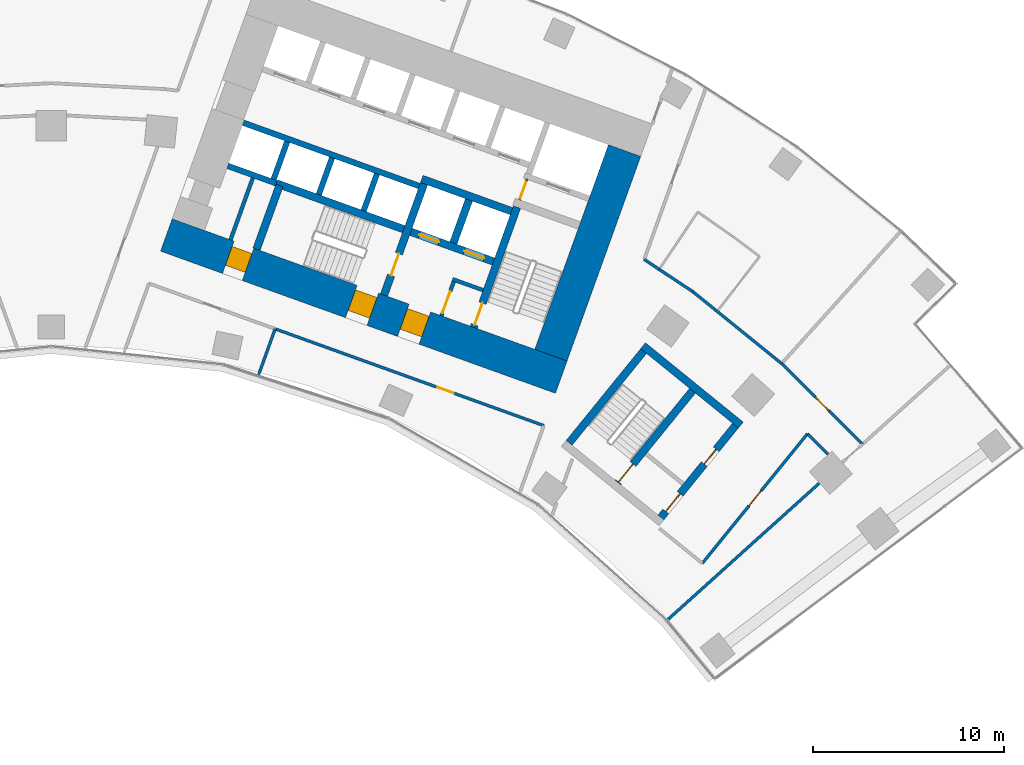
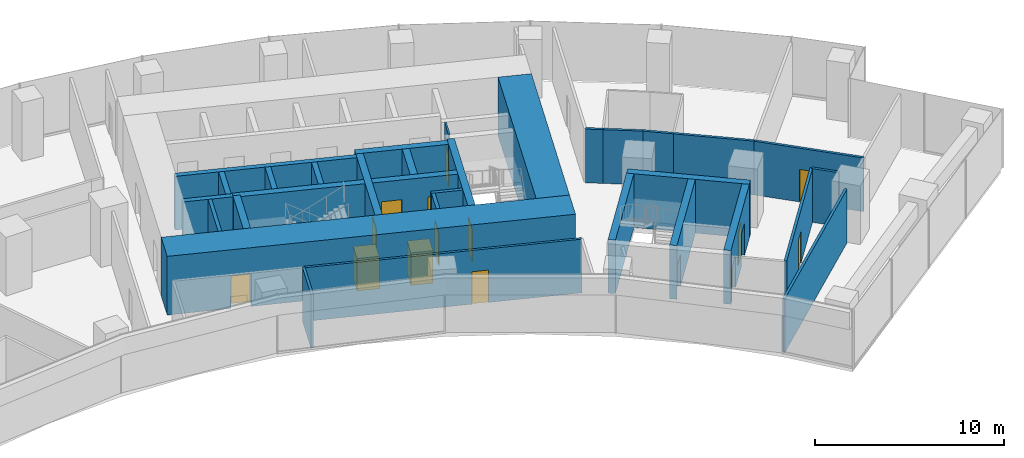
# One storey, part 17 of 21: 31 walls, 15 doors, 15 openings.
"""IFC4 building model written with IfcOpenShell, lengths in metres."""

from ifc_helpers import new_model, si_unit, direction, frame, frame_2d, origin, place, context, subcontext, project, spatial, rectangle, extrude, material, layer, layer_set, type_object, element, fill, save


model = new_model("IFC4")

# Units and contexts
model_context = context("Model", 3, precision=1e-05, world=origin(), true_north=direction((0.0, 1.0)))
body_context = subcontext(model_context, "Body", "Model", "MODEL_VIEW")
ifc_project = project(units=[si_unit("LENGTHUNIT", "METRE"), si_unit("AREAUNIT", "SQUARE_METRE"), si_unit("VOLUMEUNIT", "CUBIC_METRE"), si_unit("PLANEANGLEUNIT", "RADIAN"), si_unit("MASSUNIT", "GRAM", prefix="KILO")], contexts=[model_context])

# Site, building, storey
site_placement = place(None, origin())
site = spatial("IfcSite", under=ifc_project, at=site_placement, CompositionType="ELEMENT")
building_placement = place(site_placement, origin())
building = spatial("IfcBuilding", under=site, at=building_placement, Name="Stone Belt Terrace Tower", CompositionType="ELEMENT")
storey_placement = place(building_placement, frame((0.0, 0.0, 71.800048828125)))
storey = spatial("IfcBuildingStorey", under=building, at=storey_placement, Name="L17", CompositionType="ELEMENT", Elevation=71.800048828125)

# Wall, opening, door
ifc_material_1 = material(Name="Plasterboard partition")
ifc_layer_1 = layer(ifc_material_1, 0.10009765625)
ifc_layer_set_1 = layer_set([ifc_layer_1], Name="Core partition 100")
wall_type_1 = type_object("IfcWallType", Name="Core partition 100", PredefinedType="PARTITIONING", material=ifc_layer_set_1)
wall_1_placement = place(storey_placement, frame((24.555908203125, 51.10400390625, 0.0), z_axis=(0.0, 0.0, 1.0), x_axis=(0.338621735342, 0.94092258999, 0.0)))
wall_1 = element("IfcWall", 1, at=wall_1_placement, inside=storey, type_object=wall_type_1, Name="Core B wall", PredefinedType="PARTITIONING", context=body_context, shape_type="SweptSolid", body=[
    extrude(rectangle(XDim=1.14990234375, YDim=0.10009765625, at=frame_2d((0.574951171875, 0.0))), origin(), (0.0, 0.0, 1.0), 3.47998046875),
])
opening_1_placement = place(wall_1_placement, frame((0.050048828125, 0.0, 0.0)))
opening_1 = element("IfcOpeningElement", 2, at=opening_1_placement, cuts=wall_1, Name="Opening L17-C10", PredefinedType="OPENING", context=body_context, shape_type="SweptSolid", body=[
    extrude(rectangle(XDim=1.0, YDim=2.10009765625, at=frame_2d((0.5, 1.050048828125))), frame((0.0, 0.06005859375, 0.0), z_axis=(0.0, -1.0, 0.0), x_axis=(1.0, 0.0, 0.0)), (0.0, 0.0, 1.0), 0.1201171875),
])
ifc_material_2 = material(Name="Timber door leaf", Category="wood")
door_type_1 = type_object("IfcDoorType", Name="Core room door 1000", OperationType="SINGLE_SWING_LEFT", PredefinedType="DOOR", material=ifc_material_2)
door_1_placement = place(opening_1_placement, origin())
door_1 = element("IfcDoor", 3, at=door_1_placement, inside=storey, type_object=door_type_1, Name="Service lift lobby door core B", OperationType="SINGLE_SWING_RIGHT", OverallHeight=2.10009765625, OverallWidth=1.0, PredefinedType="DOOR", context=body_context, shape_type="SweptSolid", body=[
    extrude(rectangle(XDim=1.0, YDim=2.10009765625, at=frame_2d((0.5, 1.050048828125))), frame((0.0, 0.02490234375, 0.0), z_axis=(0.0, -1.0, 0.0), x_axis=(1.0, 0.0, 0.0)), (0.0, 0.0, 1.0), 0.050048828125),
])
fill(opening_1, door_1)

# Wall, openings, doors
ifc_material_3 = material(Name="Concrete B80", Category="concrete")
ifc_layer_2 = layer(ifc_material_3, 1.800048828125)
ifc_layer_set_2 = layer_set([ifc_layer_2], Name="Core wall 1800 B80")
wall_type_2 = type_object("IfcWallType", Name="Core wall 1800 B80", PredefinedType="SHEAR", material=ifc_layer_set_2)
wall_2_placement = place(storey_placement, frame((6.039306640625, 49.265380859375, 0.0), z_axis=(0.0, 0.0, 1.0), x_axis=(0.940921642213, -0.338624368902, 0.0)))
wall_2 = element("IfcWall", 4, at=wall_2_placement, inside=storey, type_object=wall_type_2, Name="Core B wall concave L17", PredefinedType="SHEAR", context=body_context, shape_type="SweptSolid", body=[
    extrude(rectangle(XDim=22.0, YDim=1.800048828125, at=frame_2d((11.0, 0.0))), origin(), (0.0, 0.0, 1.0), 3.800048828125),
])
opening_2_placement = place(wall_2_placement, frame((13.199951171875, 0.0, 0.0)))
opening_2 = element("IfcOpeningElement", 5, at=opening_2_placement, cuts=wall_2, Name="Opening L17-C14", PredefinedType="OPENING", context=body_context, shape_type="SweptSolid", body=[
    extrude(rectangle(XDim=1.199951171875, YDim=2.10009765625, at=frame_2d((0.60009765625, 1.050048828125))), frame((0.0, 0.909912109375, 0.0), z_axis=(0.0, -1.0, 0.0), x_axis=(1.0, 0.0, 0.0)), (0.0, 0.0, 1.0), 1.820068359375),
])
opening_3_placement = place(wall_2_placement, frame((10.300048828125, 0.0, 0.0)))
opening_3 = element("IfcOpeningElement", 6, at=opening_3_placement, cuts=wall_2, Name="Opening L17-C16", PredefinedType="OPENING", context=body_context, shape_type="SweptSolid", body=[
    extrude(rectangle(XDim=1.199951171875, YDim=2.10009765625, at=frame_2d((0.60009765625, 1.050048828125))), frame((0.0, 0.909912109375, 0.0), z_axis=(0.0, -1.0, 0.0), x_axis=(1.0, 0.0, 0.0)), (0.0, 0.0, 1.0), 1.820068359375),
])
opening_4_placement = place(wall_2_placement, frame((3.449951171875, 0.0, 0.0)))
opening_4 = element("IfcOpeningElement", 7, at=opening_4_placement, cuts=wall_2, Name="Opening L17-C18", PredefinedType="OPENING", context=body_context, shape_type="SweptSolid", body=[
    extrude(rectangle(XDim=1.10009765625, YDim=2.10009765625, at=frame_2d((0.550048828125, 1.050048828125))), frame((0.0, 0.909912109375, 0.0), z_axis=(0.0, -1.0, 0.0), x_axis=(1.0, 0.0, 0.0)), (0.0, 0.0, 1.0), 1.820068359375),
])
door_type_2 = type_object("IfcDoorType", Name="Core room door 1100", OperationType="SINGLE_SWING_LEFT", PredefinedType="DOOR", material=ifc_material_2)
door_2_placement = place(opening_4_placement, origin())
door_2 = element("IfcDoor", 8, at=door_2_placement, inside=storey, type_object=door_type_2, Name="Door to Communications riser room core B", OperationType="SINGLE_SWING_RIGHT", OverallHeight=2.10009765625, OverallWidth=1.10009765625, PredefinedType="DOOR", context=body_context, shape_type="SweptSolid", body=[
    extrude(rectangle(XDim=1.10009765625, YDim=2.10009765625, at=frame_2d((0.550048828125, 1.050048828125))), frame((0.0, 0.60498046875, 0.0), z_axis=(0.0, -1.0, 0.0), x_axis=(1.0, 0.0, 0.0)), (0.0, 0.0, 1.0), 1.050048828125),
])
fill(opening_4, door_2)
ifc_material_4 = material(Name="Steel door leaf", Category="steel")
door_type_3 = type_object("IfcDoorType", Name="Fire-fighting lobby door 1200", OperationType="SINGLE_SWING_LEFT", PredefinedType="DOOR", material=ifc_material_4)
door_3_placement = place(opening_2_placement, origin())
door_3 = element("IfcDoor", 9, at=door_3_placement, inside=storey, type_object=door_type_3, Name="Fire-fighting lobby door core B", OperationType="SINGLE_SWING_RIGHT", OverallHeight=2.10009765625, OverallWidth=1.199951171875, PredefinedType="DOOR", context=body_context, shape_type="SweptSolid", body=[
    extrude(rectangle(XDim=1.199951171875, YDim=2.10009765625, at=frame_2d((0.60009765625, 1.050048828125))), frame((0.0, 0.655029296875, 0.0), z_axis=(0.0, -1.0, 0.0), x_axis=(1.0, 0.0, 0.0)), (0.0, 0.0, 1.0), 1.14990234375),
])
fill(opening_2, door_3)
door_type_4 = type_object("IfcDoorType", Name="Stair door 1200", OperationType="SINGLE_SWING_LEFT", PredefinedType="DOOR", material=ifc_material_4)
door_4_placement = place(opening_3_placement, origin())
door_4 = element("IfcDoor", 10, at=door_4_placement, inside=storey, type_object=door_type_4, Name="Stair 2 exit door core B", OperationType="SINGLE_SWING_LEFT", OverallHeight=2.10009765625, OverallWidth=1.199951171875, PredefinedType="DOOR", context=body_context, shape_type="SweptSolid", body=[
    extrude(rectangle(XDim=1.199951171875, YDim=2.10009765625, at=frame_2d((0.60009765625, 1.050048828125))), frame((0.0, 0.655029296875, 0.0), z_axis=(0.0, -1.0, 0.0), x_axis=(1.0, 0.0, 0.0)), (0.0, 0.0, 1.0), 1.14990234375),
])
fill(opening_3, door_4)

# Walls
wall_3_placement = place(storey_placement, frame((26.197509765625, 42.96728515625, 0.0), z_axis=(0.0, 0.0, 1.0), x_axis=(0.338625431531, 0.940921259788, 0.0)))
element("IfcWall", 11, at=wall_3_placement, inside=storey, type_object=wall_type_2, Name="Core B wall end_b L17", PredefinedType="SHEAR", context=body_context, shape_type="SweptSolid", body=[
    extrude(rectangle(XDim=11.400146484375, YDim=1.800048828125, at=frame_2d((5.7001953125, 0.0))), origin(), (0.0, 0.0, 1.0), 3.800048828125),
])
ifc_layer_3 = layer(ifc_material_3, 0.39990234375)
ifc_layer_set_3 = layer_set([ifc_layer_3], Name="Fire-fighting lift shaft wall 400")
wall_type_3 = type_object("IfcWallType", Name="Fire-fighting lift shaft wall 400", PredefinedType="SHEAR", material=ifc_layer_set_3)
wall_4_placement = place(storey_placement, frame((24.130615234375, 50.512939453125, 0.0), z_axis=(0.0, 0.0, 1.0), x_axis=(-0.94091168377, 0.338652038744, 0.0)))
element("IfcWall", 12, at=wall_4_placement, inside=storey, type_object=wall_type_3, Name="Core B wall", PredefinedType="SHEAR", context=body_context, shape_type="SweptSolid", body=[
    extrude(rectangle(XDim=5.000244140625, YDim=0.39990234375, at=frame_2d((2.5, 0.0))), origin(), (0.0, 0.0, 1.0), 3.47998046875),
])
wall_5_placement = place(storey_placement, frame((21.0859375, 48.845458984375, 0.0), z_axis=(0.0, 0.0, 1.0), x_axis=(0.338629416206, 0.940919825745, 0.0)))
element("IfcWall", 13, at=wall_5_placement, inside=storey, type_object=wall_type_3, Name="Core B wall", PredefinedType="SHEAR", context=body_context, shape_type="SweptSolid", body=[
    extrude(rectangle(XDim=2.400146484375, YDim=0.39990234375, at=frame_2d((1.2001953125, 0.0))), origin(), (0.0, 0.0, 1.0), 3.47998046875),
])
ifc_layer_4 = layer(ifc_material_3, 0.300048828125)
ifc_layer_set_4 = layer_set([ifc_layer_4], Name="Lift shaft wall 300")
wall_type_4 = type_object("IfcWallType", Name="Lift shaft wall 300", PredefinedType="SHEAR", material=ifc_layer_set_4)
wall_6_placement = place(storey_placement, frame((19.29052734375, 51.829833984375, 0.0), z_axis=(0.0, 0.0, 1.0), x_axis=(-0.940925833398, 0.338612722803, 0.0)))
element("IfcWall", 14, at=wall_6_placement, inside=storey, type_object=wall_type_4, Name="Core B wall", PredefinedType="SHEAR", context=body_context, shape_type="SweptSolid", body=[
    extrude(rectangle(XDim=9.7998046875, YDim=0.300048828125, at=frame_2d((4.89990234375, 0.0))), origin(), (0.0, 0.0, 1.0), 3.47998046875),
])
for number, where, z_axis, x_axis, name in (
    (15, (16.38134765625, 50.53857421875, 0.0), (0.0, 0.0, 1.0), (0.338681515556, 0.940901073982, 0.0), "Core B wall"),
    (16, (14.029052734375, 51.38525390625, 0.0), (0.0, 0.0, 1.0), (0.338681515556, 0.940901073982, 0.0), "Core B wall"),
):
    element("IfcWall", number, at=place(storey_placement, frame(where, z_axis=z_axis, x_axis=x_axis)), inside=storey, type_object=wall_type_4, Name=name, PredefinedType="SHEAR", context=body_context, shape_type="SweptSolid", body=[
        extrude(rectangle(XDim=2.050048828125, YDim=0.300048828125, at=frame_2d((1.02490234375, 0.0))), origin(), (0.0, 0.0, 1.0), 3.47998046875),
    ])
wall_7_placement = place(storey_placement, frame((11.797119140625, 51.975830078125, 0.0), z_axis=(0.0, 0.0, 1.0), x_axis=(-0.940910465161, 0.33865542451, 0.0)))
element("IfcWall", 17, at=wall_7_placement, inside=storey, type_object=wall_type_4, Name="Core B wall", PredefinedType="SHEAR", context=body_context, shape_type="SweptSolid", body=[
    extrude(rectangle(XDim=2.69970703125, YDim=0.300048828125, at=frame_2d((1.349853515625, 0.0))), origin(), (0.0, 0.0, 1.0), 3.47998046875),
])
wall_8_placement = place(storey_placement, frame((11.659912109375, 52.184814453125, 0.0), z_axis=(0.0, 0.0, 1.0), x_axis=(0.338670064856, 0.940905195634, 0.0)))
element("IfcWall", 18, at=wall_8_placement, inside=storey, type_object=wall_type_4, Name="Core B wall", PredefinedType="SHEAR", context=body_context, shape_type="SweptSolid", body=[
    extrude(rectangle(XDim=2.099853515625, YDim=0.300048828125, at=frame_2d((1.0498046875, 0.0))), origin(), (0.0, 0.0, 1.0), 3.47998046875),
])

# Wall, opening, door
ifc_material_5 = material(Name="Gypsum board partition")
ifc_layer_5 = layer(ifc_material_5, 0.14990234375)
ifc_layer_set_5 = layer_set([ifc_layer_5], Name="PARTITION 150 EI 60")
wall_type_5 = type_object("IfcWallType", Name="PARTITION 150 EI 60", PredefinedType="PARTITIONING", material=ifc_layer_set_5)
wall_9_placement = place(storey_placement, frame((25.824951171875, 39.27490234375, 0.0), z_axis=(0.0, 0.0, 1.0), x_axis=(-0.940924398341, 0.338616710466, 0.0)))
wall_9 = element("IfcWall", 19, at=wall_9_placement, inside=storey, type_object=wall_type_5, Name="L17/wall/i028", PredefinedType="PARTITIONING", context=body_context, shape_type="SweptSolid", body=[
    extrude(rectangle(XDim=14.975830078125, YDim=0.14990234375, at=frame_2d((7.48779296875, 0.0))), origin(), (0.0, 0.0, 1.0), 3.47998046875),
])
opening_5_placement = place(wall_9_placement, frame((5.0166015625, 0.0, 0.0)))
opening_5 = element("IfcOpeningElement", 20, at=opening_5_placement, cuts=wall_9, Name="Opening D-A5-06", PredefinedType="OPENING", context=body_context, shape_type="SweptSolid", body=[
    extrude(rectangle(XDim=0.89990234375, YDim=2.10009765625, at=frame_2d((0.449951171875, 1.050048828125))), frame((0.0, 0.0849609375, 0.0), z_axis=(0.0, -1.0, 0.0), x_axis=(1.0, 0.0, 0.0)), (0.0, 0.0, 1.0), 0.169921875),
])
door_type_5 = type_object("IfcDoorType", Name="OFFICE DOOR 900 X 2100", OperationType="NOTDEFINED", PredefinedType="DOOR", material=ifc_material_2)
door_5_placement = place(opening_5_placement, origin())
door_5 = element("IfcDoor", 21, at=door_5_placement, inside=storey, type_object=door_type_5, Name="L17/door/i06", OperationType="SINGLE_SWING_LEFT", OverallHeight=2.10009765625, OverallWidth=0.89990234375, PredefinedType="DOOR", context=body_context, shape_type="SweptSolid", body=[
    extrude(rectangle(XDim=0.89990234375, YDim=2.10009765625, at=frame_2d((0.449951171875, 1.050048828125))), frame((0.0, 0.02490234375, 0.0), z_axis=(0.0, -1.0, 0.0), x_axis=(1.0, 0.0, 0.0)), (0.0, 0.0, 1.0), 0.050048828125),
])
fill(opening_5, door_5)

# Walls
wall_10_placement = place(storey_placement, frame((11.739990234375, 44.343994140625, 0.0), z_axis=(0.0, 0.0, 1.0), x_axis=(-0.338593578541, -0.940932722659, 0.0)))
element("IfcWall", 22, at=wall_10_placement, inside=storey, type_object=wall_type_5, Name="L17/wall/i029", PredefinedType="PARTITIONING", context=body_context, shape_type="SweptSolid", body=[
    extrude(rectangle(XDim=2.541015625, YDim=0.14990234375, at=frame_2d((1.2705078125, 0.0))), origin(), (0.0, 0.0, 1.0), 3.47998046875),
])
wall_11_placement = place(storey_placement, frame((32.32666015625, 29.107177734375, 0.0), z_axis=(0.0, 0.0, 1.0), x_axis=(0.743125739533, 0.66915180284, 0.0)))
element("IfcWall", 23, at=wall_11_placement, inside=storey, type_object=wall_type_5, Name="L17/wall/i060", PredefinedType="PARTITIONING", context=body_context, shape_type="SweptSolid", body=[
    extrude(rectangle(XDim=10.670166015625, YDim=0.14990234375, at=frame_2d((5.3349609375, 0.0))), origin(), (0.0, 0.0, 1.0), 3.47998046875),
])
wall_12_placement = place(storey_placement, frame((40.71240234375, 37.7744140625, 0.0), z_axis=(0.0, 0.0, 1.0), x_axis=(-0.707106781187, 0.707106781187, 0.0)))
element("IfcWall", 24, at=wall_12_placement, inside=storey, type_object=wall_type_5, Name="L17/wall/i062", PredefinedType="PARTITIONING", context=body_context, shape_type="SweptSolid", body=[
    extrude(rectangle(XDim=1.51806640625, YDim=0.14990234375, at=frame_2d((0.759033203125, 0.0))), origin(), (0.0, 0.0, 1.0), 3.47998046875),
])
wall_13_placement = place(storey_placement, frame((31.0859375, 47.988037109375, 0.0), z_axis=(0.0, 0.0, 1.0), x_axis=(0.833112915389, -0.553102947209, 0.0)))
element("IfcWall", 25, at=wall_13_placement, inside=storey, type_object=wall_type_5, Name="L17/wall/i063", PredefinedType="PARTITIONING", context=body_context, shape_type="SweptSolid", body=[
    extrude(rectangle(XDim=0.952880859375, YDim=0.14990234375, at=frame_2d((0.4765625, 0.0))), origin(), (0.0, 0.0, 1.0), 3.47998046875),
])
wall_14_placement = place(storey_placement, frame((34.909912109375, 45.263916015625, 0.0), z_axis=(0.0, 0.0, 1.0), x_axis=(0.777186041136, -0.629270893545, 0.0)))
element("IfcWall", 26, at=wall_14_placement, inside=storey, type_object=wall_type_5, Name="L17/wall/i064", PredefinedType="PARTITIONING", context=body_context, shape_type="SweptSolid", body=[
    extrude(rectangle(XDim=4.34912109375, YDim=0.14990234375, at=frame_2d((2.174560546875, 0.0))), origin(), (0.0, 0.0, 1.0), 3.47998046875),
])
wall_15_placement = place(storey_placement, frame((31.8701171875, 47.467041015625, 0.0), z_axis=(0.0, 0.0, 1.0), x_axis=(0.833377351952, -0.552704432091, 0.0)))
element("IfcWall", 27, at=wall_15_placement, inside=storey, type_object=wall_type_5, Name="L17/wall/i065", PredefinedType="PARTITIONING", context=body_context, shape_type="SweptSolid", body=[
    extrude(rectangle(XDim=2.118896484375, YDim=0.14990234375, at=frame_2d((1.0595703125, 0.0))), origin(), (0.0, 0.0, 1.0), 3.47998046875),
])
wall_16_placement = place(storey_placement, frame((33.635986328125, 46.2958984375, 0.0), z_axis=(0.0, 0.0, 1.0), x_axis=(0.777120971984, -0.629351249226, 0.0)))
element("IfcWall", 28, at=wall_16_placement, inside=storey, type_object=wall_type_5, Name="L17/wall/i066", PredefinedType="PARTITIONING", context=body_context, shape_type="SweptSolid", body=[
    extrude(rectangle(XDim=1.652099609375, YDim=0.14990234375, at=frame_2d((0.826171875, 0.0))), origin(), (0.0, 0.0, 1.0), 3.47998046875),
])

# Wall, opening, door
wall_17_placement = place(storey_placement, frame((38.291015625, 42.52587890625, 0.0), z_axis=(0.0, 0.0, 1.0), x_axis=(0.707106781187, -0.707106781187, 0.0)))
wall_17 = element("IfcWall", 29, at=wall_17_placement, inside=storey, type_object=wall_type_5, Name="L17/wall/i067", PredefinedType="PARTITIONING", context=body_context, shape_type="SweptSolid", body=[
    extrude(rectangle(XDim=5.989013671875, YDim=0.14990234375, at=frame_2d((2.99462890625, 0.0))), origin(), (0.0, 0.0, 1.0), 3.47998046875),
])
opening_6_placement = place(wall_17_placement, frame((2.49462890625, 0.0, 0.0)))
opening_6 = element("IfcOpeningElement", 30, at=opening_6_placement, cuts=wall_17, Name="Opening D-A5-23", PredefinedType="OPENING", context=body_context, shape_type="SweptSolid", body=[
    extrude(rectangle(XDim=1.0, YDim=2.10009765625, at=frame_2d((0.5, 1.050048828125))), frame((0.0, 0.0849609375, 0.0), z_axis=(0.0, -1.0, 0.0), x_axis=(1.0, 0.0, 0.0)), (0.0, 0.0, 1.0), 0.169921875),
])
ifc_material_6 = material(Name="Timber fire door leaf", Category="wood")
door_type_6 = type_object("IfcDoorType", Name="TENANCY ENTRANCE DOOR 1000 X 2100", OperationType="NOTDEFINED", PredefinedType="DOOR", material=ifc_material_6)
door_6_placement = place(opening_6_placement, origin())
door_6 = element("IfcDoor", 31, at=door_6_placement, inside=storey, type_object=door_type_6, Name="L17/door/i23", OperationType="SINGLE_SWING_RIGHT", OverallHeight=2.10009765625, OverallWidth=1.0, PredefinedType="DOOR", context=body_context, shape_type="SweptSolid", body=[
    extrude(rectangle(XDim=1.0, YDim=2.10009765625, at=frame_2d((0.5, 1.050048828125))), frame((0.0, 0.02490234375, 0.0), z_axis=(0.0, -1.0, 0.0), x_axis=(1.0, 0.0, 0.0)), (0.0, 0.0, 1.0), 0.050048828125),
])
fill(opening_6, door_6)

wall_18_placement = place(storey_placement, frame((34.133056640625, 32.055908203125, 0.0), z_axis=(0.0, 0.0, 1.0), x_axis=(0.630226712005, 0.776411161354, 0.0)))
wall_18 = element("IfcWall", 32, at=wall_18_placement, inside=storey, type_object=wall_type_5, Name="L17/wall/i068", PredefinedType="PARTITIONING", context=body_context, shape_type="SweptSolid", body=[
    extrude(rectangle(XDim=8.742919921875, YDim=0.14990234375, at=frame_2d((4.37158203125, 0.0))), origin(), (0.0, 0.0, 1.0), 3.47998046875),
])
opening_7_placement = place(wall_18_placement, frame((3.871337890625, 0.0, 0.0)))
opening_7 = element("IfcOpeningElement", 33, at=opening_7_placement, cuts=wall_18, Name="Opening D-A5-20", PredefinedType="OPENING", context=body_context, shape_type="SweptSolid", body=[
    extrude(rectangle(XDim=1.0, YDim=2.10009765625, at=frame_2d((0.5, 1.050048828125))), frame((0.0, 0.0849609375, 0.0), z_axis=(0.0, -1.0, 0.0), x_axis=(1.0, 0.0, 0.0)), (0.0, 0.0, 1.0), 0.169921875),
])
door_7_placement = place(opening_7_placement, origin())
door_7 = element("IfcDoor", 34, at=door_7_placement, inside=storey, type_object=door_type_6, Name="L17/door/i20", OperationType="SINGLE_SWING_RIGHT", OverallHeight=2.10009765625, OverallWidth=1.0, PredefinedType="DOOR", context=body_context, shape_type="SweptSolid", body=[
    extrude(rectangle(XDim=1.0, YDim=2.10009765625, at=frame_2d((0.5, 1.050048828125))), frame((0.0, 0.02490234375, 0.0), z_axis=(0.0, -1.0, 0.0), x_axis=(1.0, 0.0, 0.0)), (0.0, 0.0, 1.0), 0.050048828125),
])
fill(opening_7, door_7)

# Wall
ifc_material_7 = material(Name="Concrete masonry block", Category="masonry")
ifc_layer_6 = layer(ifc_material_7, 0.199951171875)
ifc_layer_set_6 = layer_set([ifc_layer_6], Name="Rated lobby wall 200")
wall_type_6 = type_object("IfcWallType", Name="Rated lobby wall 200", PredefinedType="PARTITIONING", material=ifc_layer_set_6)
wall_19_placement = place(storey_placement, frame((22.640625, 46.373046875, 0.0), z_axis=(0.0, 0.0, 1.0), x_axis=(-0.940966110313, 0.338500781747, 0.0)))
element("IfcWall", 35, at=wall_19_placement, inside=storey, type_object=wall_type_6, Name="Core B wall", PredefinedType="PARTITIONING", context=body_context, shape_type="SweptSolid", body=[
    extrude(rectangle(XDim=1.699951171875, YDim=0.199951171875, at=frame_2d((0.85009765625, 0.0))), origin(), (0.0, 0.0, 1.0), 3.47998046875),
])

# Wall, opening, door
wall_20_placement = place(storey_placement, frame((20.4580078125, 45.032958984375, 0.0), z_axis=(0.0, 0.0, 1.0), x_axis=(0.338573865316, 0.940939816208, 0.0)))
wall_20 = element("IfcWall", 36, at=wall_20_placement, inside=storey, type_object=wall_type_6, Name="Core B wall", PredefinedType="PARTITIONING", context=body_context, shape_type="SweptSolid", body=[
    extrude(rectangle(XDim=1.900146484375, YDim=0.199951171875, at=frame_2d((0.9501953125, 0.0))), origin(), (0.0, 0.0, 1.0), 3.47998046875),
])
opening_8_placement = place(wall_20_placement, frame((0.14990234375, 0.0, 0.0)))
opening_8 = element("IfcOpeningElement", 37, at=opening_8_placement, cuts=wall_20, Name="Opening L17-C13", PredefinedType="OPENING", context=body_context, shape_type="SweptSolid", body=[
    extrude(rectangle(XDim=1.199951171875, YDim=2.10009765625, at=frame_2d((0.60009765625, 1.050048828125))), frame((0.0, 0.10986328125, 0.0), z_axis=(0.0, -1.0, 0.0), x_axis=(1.0, 0.0, 0.0)), (0.0, 0.0, 1.0), 0.219970703125),
])
door_8_placement = place(opening_8_placement, origin())
door_8 = element("IfcDoor", 38, at=door_8_placement, inside=storey, type_object=door_type_4, Name="Stair airlock door core B", OperationType="SINGLE_SWING_RIGHT", OverallHeight=2.10009765625, OverallWidth=1.199951171875, PredefinedType="DOOR", context=body_context, shape_type="SweptSolid", body=[
    extrude(rectangle(XDim=1.199951171875, YDim=2.10009765625, at=frame_2d((0.60009765625, 1.050048828125))), frame((0.0, 0.02490234375, 0.0), z_axis=(0.0, -1.0, 0.0), x_axis=(1.0, 0.0, 0.0)), (0.0, 0.0, 1.0), 0.050048828125),
])
fill(opening_8, door_8)

# Wall
wall_21_placement = place(storey_placement, frame((9.402099609375, 49.01171875, 0.0), z_axis=(0.0, 0.0, 1.0), x_axis=(0.338599189079, 0.940930703695, 0.0)))
element("IfcWall", 39, at=wall_21_placement, inside=storey, type_object=wall_type_6, Name="Core B wall", PredefinedType="PARTITIONING", context=body_context, shape_type="SweptSolid", body=[
    extrude(rectangle(XDim=3.4501953125, YDim=0.199951171875, at=frame_2d((1.72509765625, 0.0))), origin(), (0.0, 0.0, 1.0), 3.47998046875),
])

# Wall, opening, door
ifc_layer_7 = layer(ifc_material_3, 0.39990234375)
ifc_layer_set_7 = layer_set([ifc_layer_7], Name="Stair enclosure wall 400")
wall_type_7 = type_object("IfcWallType", Name="Stair enclosure wall 400", PredefinedType="SHEAR", material=ifc_layer_set_7)
wall_22_placement = place(storey_placement, frame((22.151611328125, 44.42333984375, 0.0), z_axis=(0.0, 0.0, 1.0), x_axis=(0.338625272931, 0.940921316866, 0.0)))
wall_22 = element("IfcWall", 40, at=wall_22_placement, inside=storey, type_object=wall_type_7, Name="Core B wall", PredefinedType="SHEAR", context=body_context, shape_type="SweptSolid", body=[
    extrude(rectangle(XDim=6.699951171875, YDim=0.39990234375, at=frame_2d((3.35009765625, 0.0))), origin(), (0.0, 0.0, 1.0), 3.47998046875),
])
opening_9_placement = place(wall_22_placement, frame((0.14990234375, 0.0, 0.0)))
opening_9 = element("IfcOpeningElement", 41, at=opening_9_placement, cuts=wall_22, Name="Opening L17-C12", PredefinedType="OPENING", context=body_context, shape_type="SweptSolid", body=[
    extrude(rectangle(XDim=1.199951171875, YDim=2.10009765625, at=frame_2d((0.60009765625, 1.050048828125))), frame((0.0, 0.2099609375, 0.0), z_axis=(0.0, -1.0, 0.0), x_axis=(1.0, 0.0, 0.0)), (0.0, 0.0, 1.0), 0.419921875),
])
door_9_placement = place(opening_9_placement, origin())
door_9 = element("IfcDoor", 42, at=door_9_placement, inside=storey, type_object=door_type_4, Name="Stair 1 door core B", OperationType="SINGLE_SWING_RIGHT", OverallHeight=2.10009765625, OverallWidth=1.199951171875, PredefinedType="DOOR", context=body_context, shape_type="SweptSolid", body=[
    extrude(rectangle(XDim=1.199951171875, YDim=2.10009765625, at=frame_2d((0.60009765625, 1.050048828125))), frame((0.0, 0.02490234375, 0.0), z_axis=(0.0, -1.0, 0.0), x_axis=(1.0, 0.0, 0.0)), (0.0, 0.0, 1.0), 0.050048828125),
])
fill(opening_9, door_9)

# Wall, openings, doors
wall_23_placement = place(storey_placement, frame((23.182373046875, 47.87841796875, 0.0), z_axis=(0.0, 0.0, 1.0), x_axis=(-0.940921101762, 0.338625870628, 0.0)))
wall_23 = element("IfcWall", 43, at=wall_23_placement, inside=storey, type_object=wall_type_7, Name="Core B wall", PredefinedType="SHEAR", context=body_context, shape_type="SweptSolid", body=[
    extrude(rectangle(XDim=12.10009765625, YDim=0.39990234375, at=frame_2d((6.050048828125, 0.0))), origin(), (0.0, 0.0, 1.0), 3.47998046875),
])
opening_10_placement = place(wall_23_placement, frame((0.52001953125, 0.0, 0.0)))
opening_10 = element("IfcOpeningElement", 44, at=opening_10_placement, cuts=wall_23, Name="Opening L17-LD16", PredefinedType="OPENING", context=body_context, shape_type="SweptSolid", body=[
    extrude(rectangle(XDim=1.10009765625, YDim=2.199951171875, at=frame_2d((0.550048828125, 1.10009765625))), frame((0.0, 0.2099609375, 0.0), z_axis=(0.0, -1.0, 0.0), x_axis=(1.0, 0.0, 0.0)), (0.0, 0.0, 1.0), 0.419921875),
])
opening_11_placement = place(wall_23_placement, frame((3.02001953125, 0.0, 0.0)))
opening_11 = element("IfcOpeningElement", 45, at=opening_11_placement, cuts=wall_23, Name="Opening L17-LD17", PredefinedType="OPENING", context=body_context, shape_type="SweptSolid", body=[
    extrude(rectangle(XDim=1.10009765625, YDim=2.199951171875, at=frame_2d((0.550048828125, 1.10009765625))), frame((0.0, 0.2099609375, 0.0), z_axis=(0.0, -1.0, 0.0), x_axis=(1.0, 0.0, 0.0)), (0.0, 0.0, 1.0), 0.419921875),
])
ifc_material_8 = material(Name="Stainless steel door leaf", Category="steel")
door_type_7 = type_object("IfcDoorType", Name="Landing door 1100", OperationType="SLIDING_TO_LEFT", PredefinedType="DOOR", material=ifc_material_8)
door_10_placement = place(opening_10_placement, origin())
door_10 = element("IfcDoor", 46, at=door_10_placement, inside=storey, type_object=door_type_7, Name="Landing door FF1 core B", OperationType="SLIDING_TO_LEFT", OverallHeight=2.199951171875, OverallWidth=1.10009765625, PredefinedType="DOOR", context=body_context, shape_type="SweptSolid", body=[
    extrude(rectangle(XDim=1.10009765625, YDim=2.199951171875, at=frame_2d((0.550048828125, 1.10009765625))), frame((0.0, 0.02490234375, 0.0), z_axis=(0.0, -1.0, 0.0), x_axis=(1.0, 0.0, 0.0)), (0.0, 0.0, 1.0), 0.050048828125),
])
fill(opening_10, door_10)
door_11_placement = place(opening_11_placement, origin())
door_11 = element("IfcDoor", 47, at=door_11_placement, inside=storey, type_object=door_type_7, Name="Landing door FF2 core B", OperationType="SLIDING_TO_LEFT", OverallHeight=2.199951171875, OverallWidth=1.10009765625, PredefinedType="DOOR", context=body_context, shape_type="SweptSolid", body=[
    extrude(rectangle(XDim=1.10009765625, YDim=2.199951171875, at=frame_2d((0.550048828125, 1.10009765625))), frame((0.0, 0.02490234375, 0.0), z_axis=(0.0, -1.0, 0.0), x_axis=(1.0, 0.0, 0.0)), (0.0, 0.0, 1.0), 0.050048828125),
])
fill(opening_11, door_11)

# Wall, opening, door
wall_24_placement = place(storey_placement, frame((17.447021484375, 46.116455078125, 0.0), z_axis=(0.0, 0.0, 1.0), x_axis=(0.33860791464, 0.940927563707, 0.0)))
wall_24 = element("IfcWall", 48, at=wall_24_placement, inside=storey, type_object=wall_type_7, Name="Core B wall", PredefinedType="SHEAR", context=body_context, shape_type="SweptSolid", body=[
    extrude(rectangle(XDim=6.199951171875, YDim=0.39990234375, at=frame_2d((3.10009765625, 0.0))), origin(), (0.0, 0.0, 1.0), 3.47998046875),
])
opening_12_placement = place(wall_24_placement, frame((1.10009765625, 0.0, 0.0)))
opening_12 = element("IfcOpeningElement", 49, at=opening_12_placement, cuts=wall_24, Name="Opening L17-C15", PredefinedType="OPENING", context=body_context, shape_type="SweptSolid", body=[
    extrude(rectangle(XDim=1.199951171875, YDim=2.10009765625, at=frame_2d((0.60009765625, 1.050048828125))), frame((0.0, 0.2099609375, 0.0), z_axis=(0.0, -1.0, 0.0), x_axis=(1.0, 0.0, 0.0)), (0.0, 0.0, 1.0), 0.419921875),
])
door_12_placement = place(opening_12_placement, origin())
door_12 = element("IfcDoor", 50, at=door_12_placement, inside=storey, type_object=door_type_4, Name="Stair 2 door core B", OperationType="SINGLE_SWING_RIGHT", OverallHeight=2.10009765625, OverallWidth=1.199951171875, PredefinedType="DOOR", context=body_context, shape_type="SweptSolid", body=[
    extrude(rectangle(XDim=1.199951171875, YDim=2.10009765625, at=frame_2d((0.60009765625, 1.050048828125))), frame((0.0, 0.02490234375, 0.0), z_axis=(0.0, -1.0, 0.0), x_axis=(1.0, 0.0, 0.0)), (0.0, 0.0, 1.0), 0.050048828125),
])
fill(opening_12, door_12)

# Walls
wall_25_placement = place(storey_placement, frame((10.766357421875, 48.520751953125, 0.0), z_axis=(0.0, 0.0, 1.0), x_axis=(0.338626928157, 0.94092072117, 0.0)))
element("IfcWall", 51, at=wall_25_placement, inside=storey, type_object=wall_type_7, Name="Core B wall", PredefinedType="SHEAR", context=body_context, shape_type="SweptSolid", body=[
    extrude(rectangle(XDim=3.550048828125, YDim=0.39990234375, at=frame_2d((1.77490234375, 0.0))), origin(), (0.0, 0.0, 1.0), 3.47998046875),
])
wall_26_placement = place(storey_placement, frame((31.02783203125, 43.46337890625, 0.0), z_axis=(0.0, 0.0, 1.0), x_axis=(0.776413760801, -0.630223509589, 0.0)))
element("IfcWall", 52, at=wall_26_placement, inside=storey, type_object=wall_type_7, Name="Exit stair ST3B wall", PredefinedType="SHEAR", context=body_context, shape_type="SweptSolid", body=[
    extrude(rectangle(XDim=6.599853515625, YDim=0.39990234375, at=frame_2d((3.2998046875, 0.0))), origin(), (0.0, 0.0, 1.0), 3.47998046875),
])
wall_27_placement = place(storey_placement, frame((27.149658203125, 38.3681640625, 0.0), z_axis=(0.0, 0.0, 1.0), x_axis=(0.630211551729, 0.776423466973, 0.0)))
element("IfcWall", 53, at=wall_27_placement, inside=storey, type_object=wall_type_7, Name="Exit stair ST3B wall", PredefinedType="SHEAR", context=body_context, shape_type="SweptSolid", body=[
    extrude(rectangle(XDim=6.199951171875, YDim=0.39990234375, at=frame_2d((3.10009765625, 0.0))), origin(), (0.0, 0.0, 1.0), 3.47998046875),
])

# Wall, openings, doors
wall_28_placement = place(storey_placement, frame((31.963623046875, 34.460693359375, 0.0), z_axis=(0.0, 0.0, 1.0), x_axis=(0.630192283849, 0.776439106033, 0.0)))
wall_28 = element("IfcWall", 54, at=wall_28_placement, inside=storey, type_object=wall_type_7, Name="Exit stair ST3B wall", PredefinedType="SHEAR", context=body_context, shape_type="SweptSolid", body=[
    extrude(rectangle(XDim=6.199951171875, YDim=0.39990234375, at=frame_2d((3.10009765625, 0.0))), origin(), (0.0, 0.0, 1.0), 3.47998046875),
])
opening_13_placement = place(wall_28_placement, frame((0.39990234375, 0.0, 0.0)))
opening_13 = element("IfcOpeningElement", 55, at=opening_13_placement, cuts=wall_28, Name="Opening L17-C23", PredefinedType="OPENING", context=body_context, shape_type="SweptSolid", body=[
    extrude(rectangle(XDim=1.199951171875, YDim=2.10009765625, at=frame_2d((0.60009765625, 1.050048828125))), frame((0.0, 0.2099609375, 0.0), z_axis=(0.0, -1.0, 0.0), x_axis=(1.0, 0.0, 0.0)), (0.0, 0.0, 1.0), 0.419921875),
])
opening_14_placement = place(wall_28_placement, frame((3.60009765625, 0.0, 0.0)))
opening_14 = element("IfcOpeningElement", 56, at=opening_14_placement, cuts=wall_28, Name="Opening L17-C24", PredefinedType="OPENING", context=body_context, shape_type="SweptSolid", body=[
    extrude(rectangle(XDim=1.0, YDim=2.10009765625, at=frame_2d((0.5, 1.050048828125))), frame((0.0, 0.2099609375, 0.0), z_axis=(0.0, -1.0, 0.0), x_axis=(1.0, 0.0, 0.0)), (0.0, 0.0, 1.0), 0.419921875),
])
door_13_placement = place(opening_14_placement, origin())
door_13 = element("IfcDoor", 57, at=door_13_placement, inside=storey, type_object=door_type_1, Name="Door to stair pressurisation plant room ST3B", OperationType="SINGLE_SWING_LEFT", OverallHeight=2.10009765625, OverallWidth=1.0, PredefinedType="DOOR", context=body_context, shape_type="SweptSolid", body=[
    extrude(rectangle(XDim=1.0, YDim=2.10009765625, at=frame_2d((0.5, 1.050048828125))), frame((0.0, 0.02490234375, 0.0), z_axis=(0.0, -1.0, 0.0), x_axis=(1.0, 0.0, 0.0)), (0.0, 0.0, 1.0), 0.050048828125),
])
fill(opening_14, door_13)
door_type_8 = type_object("IfcDoorType", Name="Stair airlock door 1200", OperationType="SINGLE_SWING_LEFT", PredefinedType="DOOR", material=ifc_material_4)
door_14_placement = place(opening_13_placement, origin())
door_14 = element("IfcDoor", 58, at=door_14_placement, inside=storey, type_object=door_type_8, Name="Stair airlock door ST3B", OperationType="SINGLE_SWING_LEFT", OverallHeight=2.10009765625, OverallWidth=1.199951171875, PredefinedType="DOOR", context=body_context, shape_type="SweptSolid", body=[
    extrude(rectangle(XDim=1.199951171875, YDim=2.10009765625, at=frame_2d((0.60009765625, 1.050048828125))), frame((0.0, 0.02490234375, 0.0), z_axis=(0.0, -1.0, 0.0), x_axis=(1.0, 0.0, 0.0)), (0.0, 0.0, 1.0), 0.050048828125),
])
fill(opening_13, door_14)

# Wall, opening, door
wall_29_placement = place(storey_placement, frame((29.7119140625, 36.288330078125, 0.0), z_axis=(0.0, 0.0, 1.0), x_axis=(0.630192283849, 0.776439106033, 0.0)))
wall_29 = element("IfcWall", 59, at=wall_29_placement, inside=storey, type_object=wall_type_7, Name="Exit stair ST3B wall", PredefinedType="SHEAR", context=body_context, shape_type="SweptSolid", body=[
    extrude(rectangle(XDim=6.199951171875, YDim=0.39990234375, at=frame_2d((3.10009765625, 0.0))), origin(), (0.0, 0.0, 1.0), 3.47998046875),
])
opening_15_placement = place(wall_29_placement, frame((0.050048828125, 0.0, 0.0)))
opening_15 = element("IfcOpeningElement", 60, at=opening_15_placement, cuts=wall_29, Name="Opening L17-C22", PredefinedType="OPENING", context=body_context, shape_type="SweptSolid", body=[
    extrude(rectangle(XDim=1.199951171875, YDim=2.10009765625, at=frame_2d((0.60009765625, 1.050048828125))), frame((0.0, 0.2099609375, 0.0), z_axis=(0.0, -1.0, 0.0), x_axis=(1.0, 0.0, 0.0)), (0.0, 0.0, 1.0), 0.419921875),
])
door_15_placement = place(opening_15_placement, origin())
door_15 = element("IfcDoor", 61, at=door_15_placement, inside=storey, type_object=door_type_4, Name="Stair door ST3B", OperationType="SINGLE_SWING_RIGHT", OverallHeight=2.10009765625, OverallWidth=1.199951171875, PredefinedType="DOOR", context=body_context, shape_type="SweptSolid", body=[
    extrude(rectangle(XDim=1.199951171875, YDim=2.10009765625, at=frame_2d((0.60009765625, 1.050048828125))), frame((0.0, 0.02490234375, 0.0), z_axis=(0.0, -1.0, 0.0), x_axis=(1.0, 0.0, 0.0)), (0.0, 0.0, 1.0), 0.050048828125),
])
fill(opening_15, door_15)

save(model, "model.ifc")
